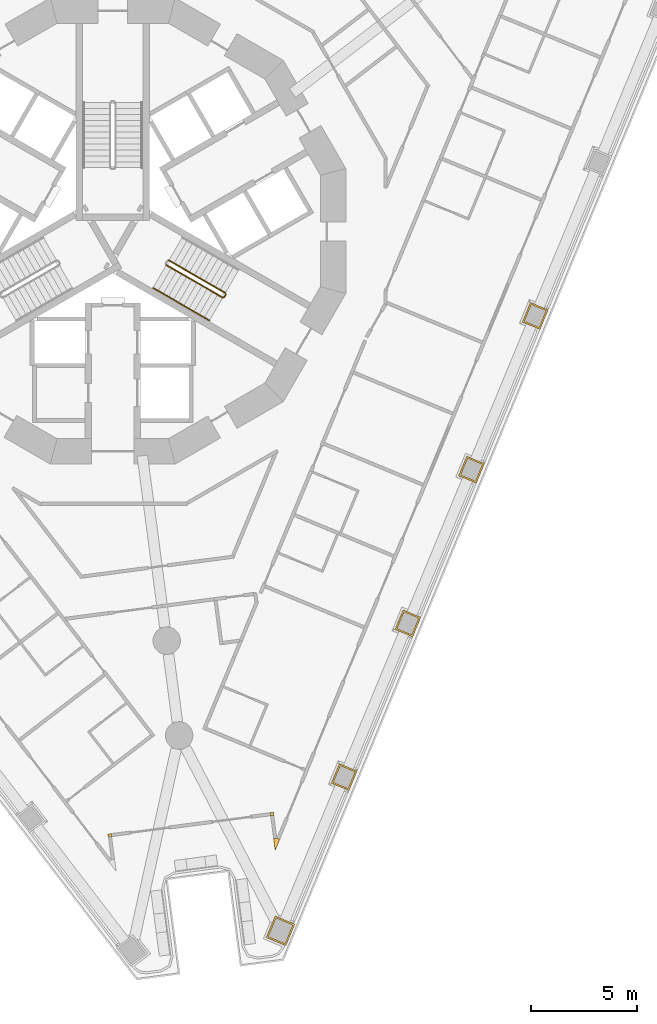
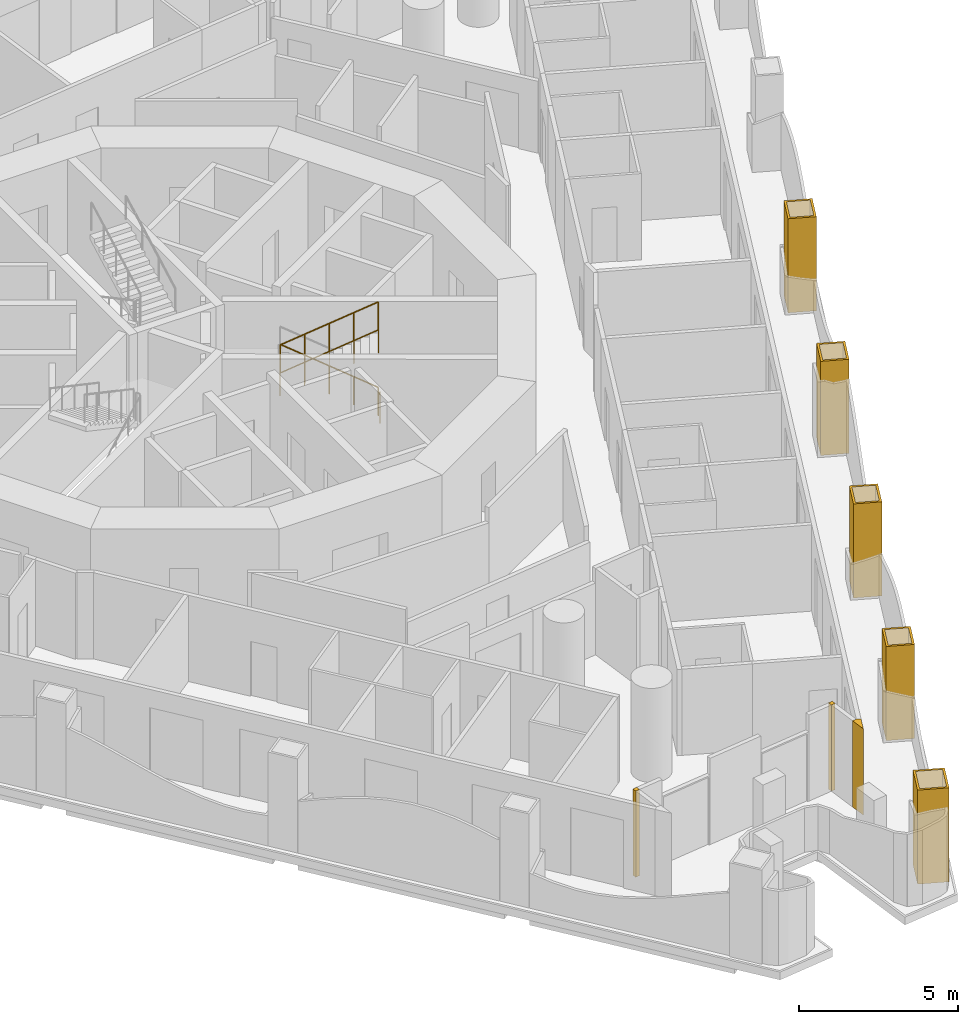
# One storey, part 14 of 19: 8 coverings, 5 railings.
"""IFC4 building model written with IfcOpenShell, lengths in metres."""

import ifcopenshell
import ifcopenshell.guid

model = None  # the IFC model being written
_history = None  # IfcOwnerHistory: only IFC2X3 demands one
_inside = {}  # id of a spatial element -> (the spatial element, [elements in it])
_under = {}  # id of a project, library or spatial element -> (it, [spatial elements below it])
_declared = {}  # id of a project -> (the project, [libraries it declares])
_typed = {}  # id of a type object -> (the type object, [elements of that type])
_made_of = {}  # id of a material, layer set ... -> (it, [elements and type objects made of it])


def new_model(schema):
    """Start an empty IFC model of exactly this schema.

    Asked for "IFC4X3", IfcOpenShell would pick the latest addendum, in which some entities
    have other attributes; the version numbers below select the first issue.
    IFC2X3 requires an IfcOwnerHistory on every rooted entity: one is made here for all.
    """
    global model, _history
    if schema == "IFC4X3":
        model = ifcopenshell.file(schema_version=(4, 3, 0, 0))
    else:
        model = ifcopenshell.file(schema=schema)
    _inside.clear()
    _under.clear()
    _declared.clear()
    _typed.clear()
    _made_of.clear()
    _history = None
    if model.schema == "IFC2X3":
        org = make("IfcOrganization", Name="unknown")
        user = make(
            "IfcPersonAndOrganization",
            ThePerson=make("IfcPerson", FamilyName="unknown"),
            TheOrganization=org,
        )
        app = make(
            "IfcApplication",
            ApplicationDeveloper=org,
            Version="unknown",
            ApplicationFullName="unknown",
            ApplicationIdentifier="unknown",
        )
        _history = make(
            "IfcOwnerHistory",
            OwningUser=user,
            OwningApplication=app,
            ChangeAction="ADDED",
            CreationDate=0,
        )
    return model


def make(cls, **values):
    """One entity of the class cls with the attributes given. An attribute that is None is left unset."""
    return model.create_entity(
        cls, **{name: value for name, value in values.items() if value is not None}
    )


def rooted(cls, **values):
    """An entity with a GlobalId (a new one), such as an element, a storey or a relation."""
    return make(cls, GlobalId=ifcopenshell.guid.new(), OwnerHistory=_history, **values)


def si_unit(unit_type, name, prefix=None):
    """IfcSIUnit, for example si_unit("LENGTHUNIT", "METRE", prefix="MILLI")."""
    return make("IfcSIUnit", UnitType=unit_type, Prefix=prefix, Name=name)


def assignment(units):
    """IfcUnitAssignment: the units of a project."""
    return None if units is None else make("IfcUnitAssignment", Units=units)


def point(xyz):
    """IfcCartesianPoint."""
    return None if xyz is None else make("IfcCartesianPoint", Coordinates=xyz)


def direction(xyz):
    """IfcDirection."""
    return None if xyz is None else make("IfcDirection", DirectionRatios=xyz)


def frame(location, z_axis=None, x_axis=None):
    """IfcAxis2Placement3D, a coordinate frame: its origin and axes. An axis left out is left unset."""
    return make(
        "IfcAxis2Placement3D",
        Location=point(location),
        Axis=direction(z_axis),
        RefDirection=direction(x_axis),
    )


def frame_2d(location, x_axis=None):
    """IfcAxis2Placement2D, a coordinate frame in the plane: its origin and x axis."""
    return make(
        "IfcAxis2Placement2D", Location=point(location), RefDirection=direction(x_axis)
    )


def origin():
    """The frame at (0, 0, 0) with its axes left unset."""
    return frame((0.0, 0.0, 0.0))


def origin_2d():
    """The frame at (0, 0) in the plane with its x axis left unset."""
    return frame_2d((0.0, 0.0))


def place(relative_to, where):
    """IfcLocalPlacement: puts the frame where relative to a parent placement (None: the world)."""
    return make(
        "IfcLocalPlacement", PlacementRelTo=relative_to, RelativePlacement=where
    )


def context(
    kind, dimensions, precision=None, world=None, true_north=None, identifier=None
):
    """IfcGeometricRepresentationContext, for example the 3D "Model" context."""
    return make(
        "IfcGeometricRepresentationContext",
        ContextIdentifier=identifier,
        ContextType=kind,
        CoordinateSpaceDimension=dimensions,
        Precision=precision,
        WorldCoordinateSystem=world,
        TrueNorth=true_north,
    )


def subcontext(parent, identifier, kind, view, scale=None):
    """IfcGeometricRepresentationSubContext, for example "Body" below "Model"."""
    return make(
        "IfcGeometricRepresentationSubContext",
        ContextIdentifier=identifier,
        ContextType=kind,
        ParentContext=parent,
        TargetScale=scale,
        TargetView=view,
    )


def project(units=None, contexts=None):
    """IfcProject with its units and contexts."""
    return rooted(
        "IfcProject",
        Name="project",
        RepresentationContexts=contexts,
        UnitsInContext=assignment(units),
    )


def spatial(cls, under=None, at=None, **own):
    """A site, building, storey or space (cls), placed at a placement, below another one or the project."""
    s = rooted(cls, ObjectPlacement=at, **own)
    if under is not None:
        _under.setdefault(under.id(), (under, []))[1].append(s)
    return s


def polyline(points):
    """IfcPolyline through the points."""
    return make("IfcPolyline", Points=[point(p) for p in points])


def profile(cls, at=None, kind="AREA", **sizes):
    """A parametric profile (cls). Its sizes go by their IFC names, for example OverallWidth=200.0."""
    return make(cls, ProfileType=kind, Position=at, **sizes)


def circle(**sizes):
    """IfcCircleProfileDef."""
    return profile("IfcCircleProfileDef", **sizes)


def outline(outer, holes=None, kind="AREA"):
    """IfcArbitraryClosedProfileDef: a profile drawn as a closed curve; with holes, ...WithVoids."""
    if holes is None:
        return make("IfcArbitraryClosedProfileDef", ProfileType=kind, OuterCurve=outer)
    return make(
        "IfcArbitraryProfileDefWithVoids",
        ProfileType=kind,
        OuterCurve=outer,
        InnerCurves=holes,
    )


def extrude(swept, where, along, depth):
    """IfcExtrudedAreaSolid: the profile swept, set in the frame where, extruded along a direction by depth."""
    return make(
        "IfcExtrudedAreaSolid",
        SweptArea=swept,
        Position=where,
        ExtrudedDirection=direction(along),
        Depth=depth,
    )


def shape(context_of_items, identifier, shape_type, items):
    """IfcShapeRepresentation: the items that make up one representation, for example the "Body"."""
    return make(
        "IfcShapeRepresentation",
        ContextOfItems=context_of_items,
        RepresentationIdentifier=identifier,
        RepresentationType=shape_type,
        Items=items,
    )


def material(Name=None, Category=None):
    """IfcMaterial."""
    return make("IfcMaterial", Name=Name, Category=Category)


def layer(
    of_material, thickness, ventilated=None, Name=None, Category=None, Priority=None
):
    """IfcMaterialLayer: one layer of a wall or slab, of a material (None: an air gap)."""
    return make(
        "IfcMaterialLayer",
        Material=of_material,
        LayerThickness=thickness,
        IsVentilated=ventilated,
        Name=Name,
        Category=Category,
        Priority=Priority,
    )


def layer_set(layers, Name=None):
    """IfcMaterialLayerSet."""
    return make("IfcMaterialLayerSet", MaterialLayers=layers, LayerSetName=Name)


def made_of(thing, what):
    """Note that an element or type object is made of a material, layer set ...; save() writes the relation."""
    if what is not None:
        _made_of.setdefault(what.id(), (what, []))[1].append(thing)
    return thing


def type_object(cls, material=None, **own):
    """A type object (cls), such as IfcWallType, which elements share."""
    return made_of(rooted(cls, **own), material)


def element(
    cls,
    number,
    at=None,
    inside=None,
    cuts=None,
    type_object=None,
    material=None,
    context=None,
    identifier="Body",
    shape_type=None,
    held_by="IfcProductDefinitionShape",
    body=None,
    shapes=None,
    **own,
):
    """One element of the class cls, such as IfcWall. Its Tag is "e" and its number.

    at: its placement. inside: the storey or other place that contains it. cuts: it is an
    opening in that element (IfcRelVoidsElement). A single representation is given by context,
    identifier, shape_type and body (its items); several are given by shapes. held_by: the class
    of the entity that holds the representations. save() writes the other relations.
    """
    e = rooted(cls, Tag="e%d" % number, ObjectPlacement=at, **own)
    if body is not None:
        shapes = [shape(context, identifier, shape_type, body)]
    if shapes is not None:
        e.Representation = make(held_by, Representations=shapes)
    if inside is not None:
        _inside.setdefault(inside.id(), (inside, []))[1].append(e)
    if cuts is not None:
        rooted(
            "IfcRelVoidsElement", RelatingBuildingElement=cuts, RelatedOpeningElement=e
        )
    if type_object is not None:
        _typed.setdefault(type_object.id(), (type_object, []))[1].append(e)
    return made_of(e, material)


def aggregate(whole, parts):
    """IfcRelAggregates: a whole, such as a stair, and the parts it consists of."""
    return rooted("IfcRelAggregates", RelatingObject=whole, RelatedObjects=parts)


def save(model, path):
    """Write the relations noted so far, then the file.

    IfcRelAggregates (storeys below a building ...), IfcRelContainedInSpatialStructure (elements
    in a storey), IfcRelDefinesByType, IfcRelAssociatesMaterial and IfcRelDeclares: one each for
    every whole, place, type object, material and project.
    """
    for whole, parts in _under.values():
        aggregate(whole, parts)
    for where, things in _inside.values():
        rooted(
            "IfcRelContainedInSpatialStructure",
            RelatedElements=things,
            RelatingStructure=where,
        )
    for kind, things in _typed.values():
        rooted("IfcRelDefinesByType", RelatedObjects=things, RelatingType=kind)
    for what, things in _made_of.values():
        rooted("IfcRelAssociatesMaterial", RelatedObjects=things, RelatingMaterial=what)
    for by, libraries in _declared.values():
        rooted("IfcRelDeclares", RelatingContext=by, RelatedDefinitions=libraries)
    model.write(path)


model = new_model("IFC4")

# Units and contexts
model_context = context("Model", 3, precision=1e-05, world=origin(), true_north=direction((0.0, 1.0)))
body_context = subcontext(model_context, "Body", "Model", "MODEL_VIEW")
ifc_project = project(units=[si_unit("LENGTHUNIT", "METRE"), si_unit("AREAUNIT", "SQUARE_METRE"), si_unit("VOLUMEUNIT", "CUBIC_METRE"), si_unit("PLANEANGLEUNIT", "RADIAN"), si_unit("MASSUNIT", "GRAM", prefix="KILO")], contexts=[model_context])

# Site, building, storey
site_placement = place(None, origin())
site = spatial("IfcSite", under=ifc_project, at=site_placement, CompositionType="ELEMENT")
building_placement = place(site_placement, origin())
building = spatial("IfcBuilding", under=site, at=building_placement, Name="Trine Commons Tower", CompositionType="ELEMENT")
storey_placement = place(building_placement, frame((0.0, 0.0, 61.199951171875)))
storey = spatial("IfcBuildingStorey", under=building, at=storey_placement, Name="L14", CompositionType="ELEMENT", Elevation=61.199951171875)

# Coverings
ifc_material_1 = material(Name="Aluminium-framed insulated wall panel", Category="aluminium")
ifc_layer_1 = layer(ifc_material_1, 0.14990234375)
ifc_layer_set_1 = layer_set([ifc_layer_1], Name="Aluminium-framed insulated wall panel")
covering_type_1 = type_object("IfcCoveringType", Name="Glazing corner post, aluminium", PredefinedType="CLADDING", material=ifc_layer_set_1)
covering_1_placement = place(storey_placement, origin())
element("IfcCovering", 1, at=covering_1_placement, inside=storey, type_object=covering_type_1, Name="Glazing corner post 2-09", PredefinedType="CLADDING", context=body_context, shape_type="SweptSolid", body=[
    extrude(outline(polyline([(87.6015625, 33.79736328125), (87.674560546875, 33.242431640625), (87.888916015625, 33.759521484375), (87.750244140625, 33.81689453125), (87.6015625, 33.79736328125)])), origin(), (0.0, 0.0, 1.0), 3.300048828125),
])
covering_2_placement = place(storey_placement, origin())
element("IfcCovering", 2, at=covering_2_placement, inside=storey, type_object=covering_type_1, Name="Glazing corner post 2-10", PredefinedType="CLADDING", context=body_context, shape_type="SweptSolid", body=[
    extrude(outline(polyline([(87.440185546875, 35.0224609375), (87.459716796875, 34.873779296875), (87.6083984375, 34.893310546875), (87.5888671875, 35.0419921875), (87.440185546875, 35.0224609375)])), origin(), (0.0, 0.0, 1.0), 3.300048828125),
])
covering_3_placement = place(storey_placement, origin())
element("IfcCovering", 3, at=covering_3_placement, inside=storey, type_object=covering_type_1, Name="Glazing corner post 2-11", PredefinedType="CLADDING", context=body_context, shape_type="SweptSolid", body=[
    extrude(outline(polyline([(79.7958984375, 33.864990234375), (79.944580078125, 33.884521484375), (79.925048828125, 34.033203125), (79.7763671875, 34.013671875), (79.7958984375, 33.864990234375)])), origin(), (0.0, 0.0, 1.0), 3.300048828125),
])
ifc_material_2 = material(Name="Limestone, honed", Category="masonry")
ifc_layer_2 = layer(ifc_material_2, 0.074951171875)
ifc_layer_set_2 = layer_set([ifc_layer_2], Name="Limestone, honed")
covering_type_2 = type_object("IfcCoveringType", Name="Limestone column cladding 75", PredefinedType="CLADDING", material=ifc_layer_set_2)
covering_4_placement = place(storey_placement, origin())
element("IfcCovering", 4, at=covering_4_placement, inside=storey, type_object=covering_type_2, Name="Limestone pier cladding 2-20", PredefinedType="CLADDING", context=body_context, shape_type="SweptSolid", body=[
    extrude(outline(polyline([(100.5673828125, 58.77587890625), (99.73583984375, 59.120361328125), (99.35302734375, 58.196533203125), (100.1845703125, 57.852294921875), (100.5673828125, 58.77587890625)]), holes=[polyline([(100.46923828125, 58.7353515625), (99.7763671875, 59.0224609375), (99.451171875, 58.2373046875), (100.14404296875, 57.9501953125), (100.46923828125, 58.7353515625)])]), origin(), (0.0, 0.0, 1.0), 3.60009765625),
])
covering_5_placement = place(storey_placement, origin())
element("IfcCovering", 5, at=covering_5_placement, inside=storey, type_object=covering_type_2, Name="Limestone pier cladding 2-21", PredefinedType="CLADDING", context=body_context, shape_type="SweptSolid", body=[
    extrude(outline(polyline([(97.55908203125, 51.513916015625), (96.727783203125, 51.858154296875), (96.344970703125, 50.934326171875), (97.176513671875, 50.590087890625), (97.55908203125, 51.513916015625)]), holes=[polyline([(97.461181640625, 51.47314453125), (96.768310546875, 51.76025390625), (96.443115234375, 50.97509765625), (97.135986328125, 50.68798828125), (97.461181640625, 51.47314453125)])]), origin(), (0.0, 0.0, 1.0), 3.60009765625),
])
covering_6_placement = place(storey_placement, origin())
element("IfcCovering", 6, at=covering_6_placement, inside=storey, type_object=covering_type_2, Name="Limestone pier cladding 2-22", PredefinedType="CLADDING", context=body_context, shape_type="SweptSolid", body=[
    extrude(outline(polyline([(94.551025390625, 44.251708984375), (93.719482421875, 44.59619140625), (93.3369140625, 43.67236328125), (94.16845703125, 43.327880859375), (94.551025390625, 44.251708984375)]), holes=[polyline([(94.453125, 44.211181640625), (93.76025390625, 44.498291015625), (93.434814453125, 43.712890625), (94.127685546875, 43.42578125), (94.453125, 44.211181640625)])]), origin(), (0.0, 0.0, 1.0), 3.60009765625),
])
covering_7_placement = place(storey_placement, origin())
element("IfcCovering", 7, at=covering_7_placement, inside=storey, type_object=covering_type_2, Name="Limestone pier cladding 2-23", PredefinedType="CLADDING", context=body_context, shape_type="SweptSolid", body=[
    extrude(outline(polyline([(91.54296875, 36.989501953125), (90.71142578125, 37.333984375), (90.328857421875, 36.41015625), (91.160400390625, 36.065673828125), (91.54296875, 36.989501953125)]), holes=[polyline([(91.445068359375, 36.948974609375), (90.752197265625, 37.236083984375), (90.4267578125, 36.45068359375), (91.11962890625, 36.16357421875), (91.445068359375, 36.948974609375)])]), origin(), (0.0, 0.0, 1.0), 3.60009765625),
])
covering_8_placement = place(storey_placement, origin())
element("IfcCovering", 8, at=covering_8_placement, inside=storey, type_object=covering_type_2, Name="Limestone pier cladding 2-24", PredefinedType="CLADDING", context=body_context, shape_type="SweptSolid", body=[
    extrude(outline(polyline([(88.60009765625, 29.75439453125), (87.67626953125, 30.13720703125), (87.25537109375, 29.120849609375), (88.17919921875, 28.738037109375), (88.60009765625, 29.75439453125)]), holes=[polyline([(88.502197265625, 29.7138671875), (87.716796875, 30.0390625), (87.353515625, 29.161376953125), (88.138671875, 28.836181640625), (88.502197265625, 29.7138671875)])]), origin(), (0.0, 0.0, 1.0), 3.60009765625),
])

# Railings
ifc_material_3 = material(Name="Stainless steel balustrade", Category="steel")
railing_type_1 = type_object("IfcRailingType", Name="Stair guard, steel balustrade 1100", PredefinedType="GUARDRAIL", material=ifc_material_3)
railing_1_placement = place(storey_placement, frame((85.31982421875, 59.572998046875, 0.150146484375)))
element("IfcRailing", 9, at=railing_1_placement, inside=storey, type_object=railing_type_1, Name="L14 ST3A stair guard 1", PredefinedType="GUARDRAIL", context=body_context, shape_type="SweptSolid", body=[
    extrude(circle(Radius=0.02392578125, at=origin_2d()), frame((0.0, 0.0, 1.076171875), z_axis=(-0.76340495495, 0.440743040072, 0.472184759798), x_axis=(-0.499992328818, -0.866029832698, 0.0)), (0.0, 0.0, 1.0), 3.494140625),
    extrude(circle(Radius=0.02099609375, at=origin_2d()), origin(), (0.0, 0.0, 1.0), 1.052001953125),
    extrude(circle(Radius=0.02099609375, at=origin_2d()), frame((-0.6669921875, 0.385009765625, 0.41259765625)), (0.0, 0.0, 1.0), 1.052001953125),
    extrude(circle(Radius=0.02099609375, at=origin_2d()), frame((-1.333740234375, 0.77001953125, 0.824951171875)), (0.0, 0.0, 1.0), 1.052001953125),
    extrude(circle(Radius=0.02099609375, at=origin_2d()), frame((-2.00048828125, 1.155029296875, 1.2373046875)), (0.0, 0.0, 1.0), 1.052001953125),
    extrude(circle(Radius=0.02099609375, at=origin_2d()), frame((-2.66748046875, 1.5400390625, 1.64990234375)), (0.0, 0.0, 1.0), 1.052001953125),
])
railing_2_placement = place(storey_placement, frame((82.52734375, 60.896484375, 1.949951171875)))
element("IfcRailing", 10, at=railing_2_placement, inside=storey, type_object=railing_type_1, Name="L14 ST3A stair guard 3", PredefinedType="GUARDRAIL", context=body_context, shape_type="SweptSolid", body=[
    extrude(circle(Radius=0.02392578125, at=origin_2d()), frame((0.0, 0.0, 1.076171875), z_axis=(0.763379768245, -0.440728498818, 0.472239049384), x_axis=(0.499992328818, 0.866029832698, 0.0)), (0.0, 0.0, 1.0), 3.494384765625),
    extrude(circle(Radius=0.02099609375, at=origin_2d()), origin(), (0.0, 0.0, 1.0), 1.052001953125),
    extrude(circle(Radius=0.02099609375, at=origin_2d()), frame((0.6669921875, -0.385009765625, 0.41259765625)), (0.0, 0.0, 1.0), 1.052001953125),
    extrude(circle(Radius=0.02099609375, at=origin_2d()), frame((1.333740234375, -0.77001953125, 0.8251953125)), (0.0, 0.0, 1.0), 1.052001953125),
    extrude(circle(Radius=0.02099609375, at=origin_2d()), frame((2.00048828125, -1.155029296875, 1.237548828125)), (0.0, 0.0, 1.0), 1.052001953125),
    extrude(circle(Radius=0.02099609375, at=origin_2d()), frame((2.66748046875, -1.5400390625, 1.650146484375)), (0.0, 0.0, 1.0), 1.052001953125),
])
railing_3_placement = place(storey_placement, frame((85.338134765625, 59.504638671875, 0.0)))
element("IfcRailing", 11, at=railing_3_placement, inside=storey, type_object=railing_type_1, Name="L14 ST3A stair guard 4", PredefinedType="GUARDRAIL", context=body_context, shape_type="SweptSolid", body=[
    extrude(circle(Radius=0.02392578125, at=origin_2d()), frame((0.0, 0.0, 1.076171875), z_axis=(-0.499816412211, -0.866131372301, 0.0), x_axis=(0.866131372301, -0.499816412211, 0.0)), (0.0, 0.0, 1.0), 0.14990234375),
    extrude(circle(Radius=0.02099609375, at=origin_2d()), origin(), (0.0, 0.0, 1.0), 1.052001953125),
    extrude(circle(Radius=0.02099609375, at=origin_2d()), frame((-0.074951171875, -0.1298828125, 0.0)), (0.0, 0.0, 1.0), 1.052001953125),
])
ifc_material_4 = material(Name="Stainless steel handrail", Category="steel")
railing_type_2 = type_object("IfcRailingType", Name="Stair handrail, steel 900", PredefinedType="HANDRAIL", material=ifc_material_4)
railing_4_placement = place(storey_placement, frame((81.90234375, 59.81396484375, 1.949951171875)))
element("IfcRailing", 12, at=railing_4_placement, inside=storey, type_object=railing_type_2, Name="L14 ST3A stair handrail 3", PredefinedType="HANDRAIL", context=body_context, shape_type="SweptSolid", body=[
    extrude(circle(Radius=0.02099609375, at=origin_2d()), frame((0.0, 0.0, 0.87890625), z_axis=(0.763354580307, -0.440713956853, 0.472293333596), x_axis=(0.499992328818, 0.866029832698, 0.0)), (0.0, 0.0, 1.0), 1.747314453125),
    extrude(circle(Radius=0.01513671875, at=origin_2d()), origin(), (0.0, 0.0, 1.0), 0.85791015625),
    extrude(circle(Radius=0.01513671875, at=origin_2d()), frame((0.6669921875, -0.385009765625, 0.41259765625)), (0.0, 0.0, 1.0), 0.85791015625),
    extrude(circle(Radius=0.01513671875, at=origin_2d()), frame((1.333740234375, -0.77001953125, 0.8251953125)), (0.0, 0.0, 1.0), 0.85791015625),
])
railing_5_placement = place(storey_placement, frame((83.236083984375, 59.0439453125, 2.775146484375)))
element("IfcRailing", 13, at=railing_5_placement, inside=storey, type_object=railing_type_2, Name="L14 ST3A stair handrail 4", PredefinedType="HANDRAIL", context=body_context, shape_type="SweptSolid", body=[
    extrude(circle(Radius=0.02099609375, at=origin_2d()), frame((0.0, 0.0, 0.87890625), z_axis=(0.76340495495, -0.440743040072, 0.472184759798), x_axis=(0.499992328818, 0.866029832698, 0.0)), (0.0, 0.0, 1.0), 1.7470703125),
    extrude(circle(Radius=0.01513671875, at=origin_2d()), origin(), (0.0, 0.0, 1.0), 0.85791015625),
    extrude(circle(Radius=0.01513671875, at=origin_2d()), frame((0.6669921875, -0.385009765625, 0.41259765625)), (0.0, 0.0, 1.0), 0.85791015625),
    extrude(circle(Radius=0.01513671875, at=origin_2d()), frame((1.333740234375, -0.77001953125, 0.824951171875)), (0.0, 0.0, 1.0), 0.85791015625),
])

save(model, "model.ifc")
